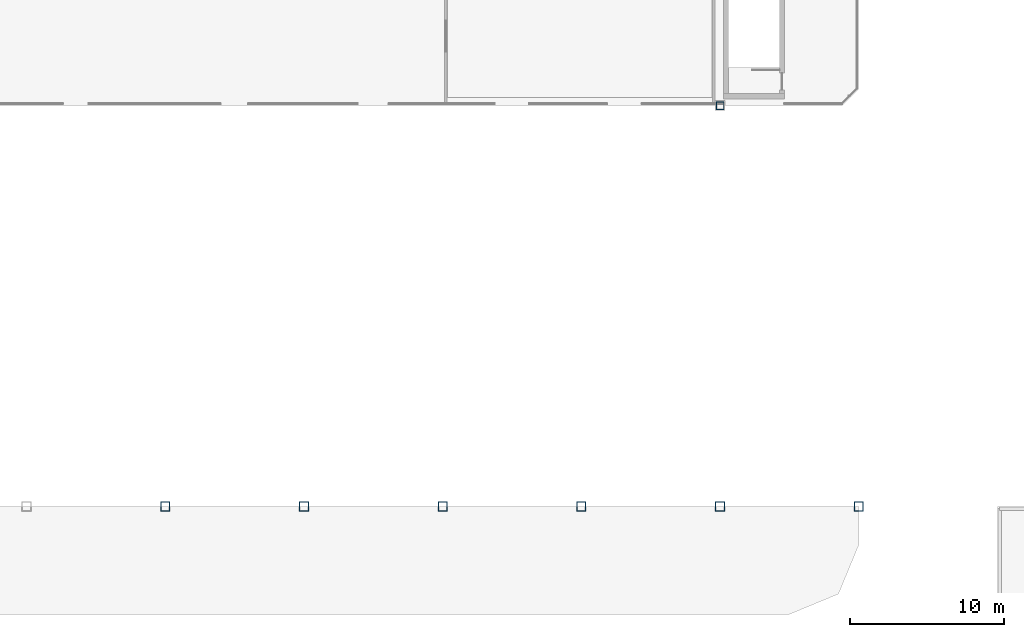
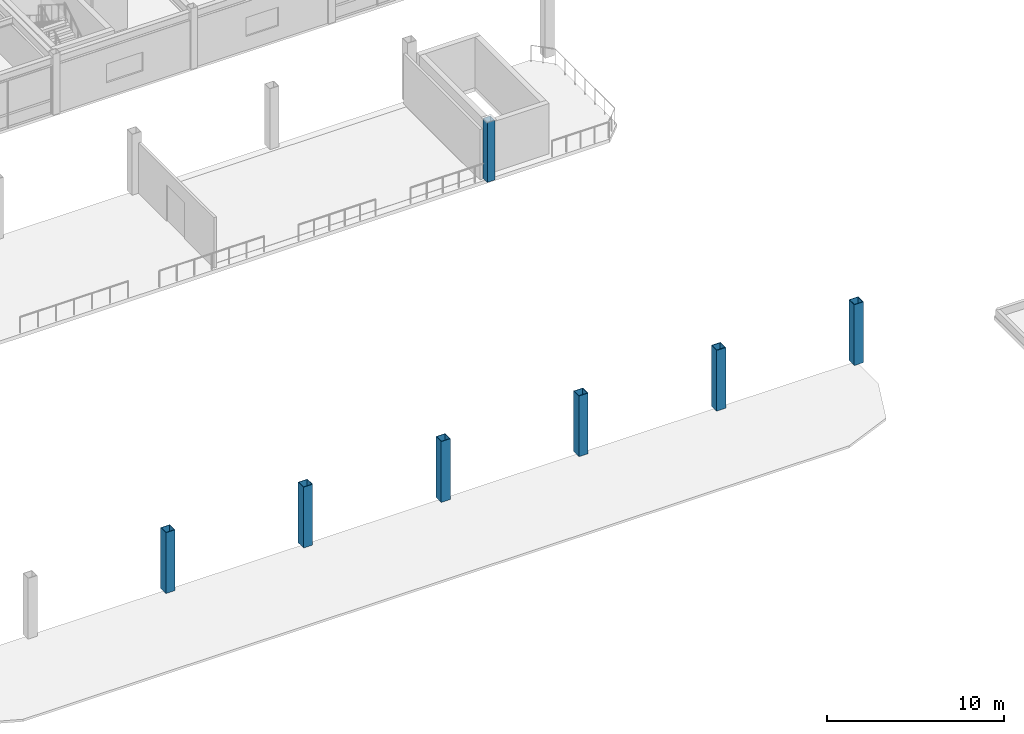
# One storey, part 6 of 105: 7 columns.
"""IFC4 building model written with IfcOpenShell, lengths in metres."""

from ifc_helpers import new_model, si_unit, direction, frame, origin, origin_2d, place, context, subcontext, project, spatial, hollow_rectangle, extrude, material, material_profile, profile_set, type_object, element, save


model = new_model("IFC4")

# Units and contexts
model_context = context("Model", 3, precision=1e-05, world=origin(), true_north=direction((0.0, 1.0)))
body_context = subcontext(model_context, "Body", "Model", "MODEL_VIEW")
ifc_project = project(units=[si_unit("LENGTHUNIT", "METRE"), si_unit("AREAUNIT", "SQUARE_METRE"), si_unit("VOLUMEUNIT", "CUBIC_METRE"), si_unit("PLANEANGLEUNIT", "RADIAN"), si_unit("MASSUNIT", "GRAM", prefix="KILO")], contexts=[model_context])

# Site, building, storey
site_placement = place(None, origin())
site = spatial("IfcSite", under=ifc_project, at=site_placement, CompositionType="ELEMENT")
building_placement = place(site_placement, origin())
building = spatial("IfcBuilding", under=site, at=building_placement, Name="Suzunagisa Mobility Hub", CompositionType="ELEMENT")
storey_placement = place(building_placement, frame((0.0, 0.0, 5.10009765625)))
storey = spatial("IfcBuildingStorey", under=building, at=storey_placement, Name="L01", CompositionType="ELEMENT", Elevation=5.10009765625)

# Columns
ifc_material = material(Name="Steel SN490B", Category="steel")
ifc_material_profile_1 = material_profile(ifc_material, hollow_rectangle(XDim=0.60009765625, YDim=0.60009765625, WallThickness=0.031982421875, at=origin_2d()), Name="BOX-600x600x32")
ifc_profile_set_1 = profile_set([ifc_material_profile_1], Name="Steel SN490B")
column_type_1 = type_object("IfcColumnType", Name="Steel Column CL-05 BOX-600x600x32", PredefinedType="COLUMN", material=ifc_profile_set_1)
for number, where, z_axis, x_axis, name in (
    (1, (72.0, 36.0, 0.0), (0.0, 0.0, 1.0), (1.0, 0.0, 0.0), "L01 Column 151"),
    (2, (81.0, 36.0, 0.0), (0.0, 0.0, 1.0), (1.0, 0.0, 0.0), "L01 Column 167"),
    (3, (90.0, 36.0, 0.0), (0.0, 0.0, 1.0), (1.0, 0.0, 0.0), "L01 Column 183"),
    (4, (99.0, 36.0, 0.0), (0.0, 0.0, 1.0), (1.0, 0.0, 0.0), "L01 Column 192"),
    (5, (108.0, 36.0, 0.0), (0.0, 0.0, 1.0), (1.0, 0.0, 0.0), "L01 Column 201"),
    (6, (117.0, 36.0, 0.0), (0.0, 0.0, 1.0), (1.0, 0.0, 0.0), "L01 Column 212"),
):
    element("IfcColumn", number, at=place(storey_placement, frame(where, z_axis=z_axis, x_axis=x_axis)), inside=storey, type_object=column_type_1, Name=name, PredefinedType="COLUMN", context=body_context, shape_type="SweptSolid", body=[
        extrude(hollow_rectangle(XDim=0.60009765625, YDim=0.60009765625, WallThickness=0.031982421875, at=origin_2d()), origin(), (0.0, 0.0, 1.0), 4.199951171875),
    ])
ifc_material_profile_2 = material_profile(ifc_material, hollow_rectangle(XDim=0.5, YDim=0.5, WallThickness=0.02490234375, at=origin_2d()), Name="BCR-500x500x25")
ifc_profile_set_2 = profile_set([ifc_material_profile_2], Name="Steel SN490B")
column_type_2 = type_object("IfcColumnType", Name="Steel Column CL-11 BCR-500x500x25", PredefinedType="COLUMN", material=ifc_profile_set_2)
column_placement = place(storey_placement, frame((108.0, 62.0, 0.0), z_axis=(0.0, 0.0, 1.0), x_axis=(1.0, 0.0, 0.0)))
element("IfcColumn", 7, at=column_placement, inside=storey, type_object=column_type_2, Name="L01 Column 202", PredefinedType="COLUMN", context=body_context, shape_type="SweptSolid", body=[
    extrude(hollow_rectangle(XDim=0.5, YDim=0.5, WallThickness=0.02490234375, at=origin_2d()), origin(), (0.0, 0.0, 1.0), 4.139892578125),
])

save(model, "model.ifc")
